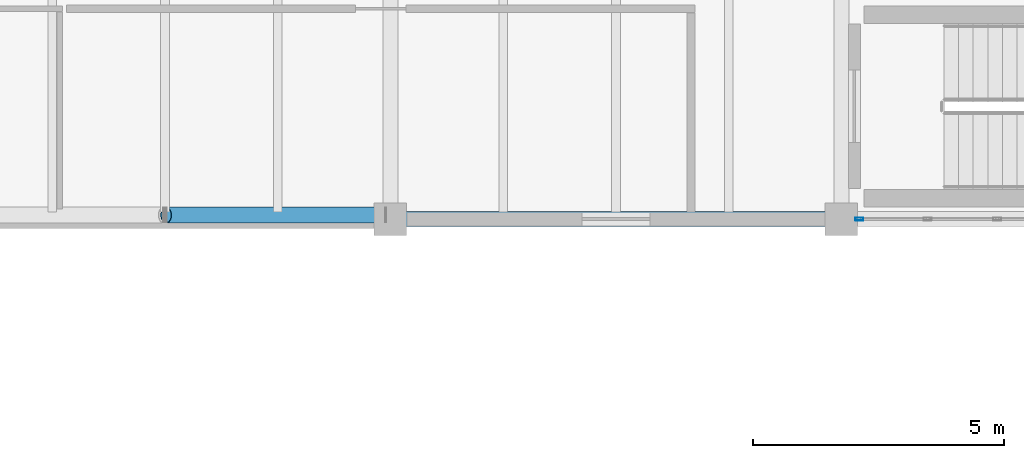
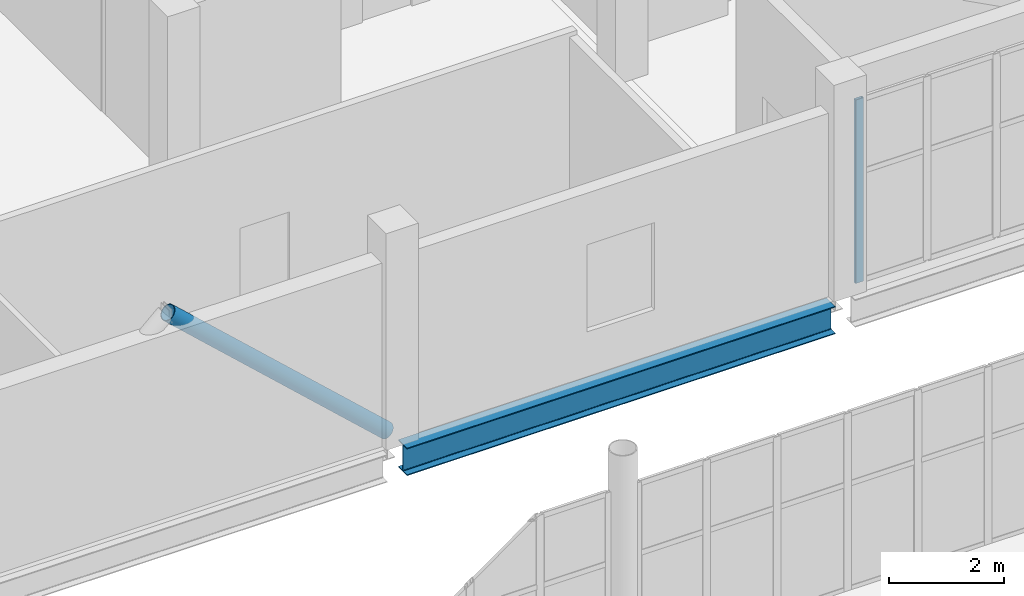
# One storey, part 118 of 172: 2 members, 1 beam, 1 element without a shape of its own.
"""IFC4 building model written with IfcOpenShell, lengths in metres."""

from ifc_helpers import new_model, si_unit, direction, frame, origin, origin_2d, place, context, subcontext, project, spatial, hollow_rectangle, hollow_circle, i_section, extrude, material, material_profile, profile_set, type_object, element, aggregate, save


model = new_model("IFC4")

# Units and contexts
model_context = context("Model", 3, precision=1e-05, world=origin(), true_north=direction((0.0, 1.0)))
body_context = subcontext(model_context, "Body", "Model", "MODEL_VIEW")
ifc_project = project(units=[si_unit("LENGTHUNIT", "METRE"), si_unit("AREAUNIT", "SQUARE_METRE"), si_unit("VOLUMEUNIT", "CUBIC_METRE"), si_unit("PLANEANGLEUNIT", "RADIAN"), si_unit("MASSUNIT", "GRAM", prefix="KILO")], contexts=[model_context])

# Site, building, storey
site_placement = place(None, origin())
site = spatial("IfcSite", under=ifc_project, at=site_placement, CompositionType="ELEMENT")
building_placement = place(site_placement, origin())
building = spatial("IfcBuilding", under=site, at=building_placement, Name="Shengluoqiao Park Theatre", CompositionType="ELEMENT")
storey_placement = place(building_placement, frame((0.0, 0.0, 5.39990234375)))
storey = spatial("IfcBuildingStorey", under=building, at=storey_placement, Name="L01", CompositionType="ELEMENT", Elevation=5.39990234375)

# Curtain wall, member
ifc_material_1 = material(Name="Aluminium 6063-T6", Category="aluminium")
curtain_wall_type = type_object("IfcCurtainWallType", Name="ENV-CW-CLERE", PredefinedType="NOTDEFINED", material=ifc_material_1)
curtain_wall_placement = place(storey_placement, origin())
curtain_wall = element("IfcCurtainWall", 1, at=curtain_wall_placement, inside=storey, type_object=curtain_wall_type, Name="L01 Curtain Wall CWX-L01-0178", PredefinedType="NOTDEFINED")
ifc_material_profile_1 = material_profile(ifc_material_1, hollow_rectangle(XDim=0.06005859375, YDim=0.159912109375, WallThickness=0.00390625, InnerFilletRadius=0.00390625, OuterFilletRadius=0.008056640625, at=origin_2d()), Name="ALU MULLION 160x60x4")
ifc_profile_set_1 = profile_set([ifc_material_profile_1], Name="Aluminium 6063-T6")
member_type_1 = type_object("IfcMemberType", Name="ENV-MUL-160", PredefinedType="MULLION", material=ifc_profile_set_1)
member_1_placement = place(storey_placement, frame((139.759033203125, 84.0, 0.0), z_axis=(0.0, 0.0, 1.0), x_axis=(0.0, 1.0, 0.0)))
member_1 = element("IfcMember", 2, at=member_1_placement, type_object=member_type_1, Name="CW-06 mullion 1", PredefinedType="MULLION", context=body_context, shape_type="SweptSolid", body=[
    extrude(hollow_rectangle(XDim=0.06005859375, YDim=0.159912109375, WallThickness=0.00390625, InnerFilletRadius=0.00390625, OuterFilletRadius=0.008056640625, at=origin_2d()), origin(), (0.0, 0.0, 1.0), 3.898193359375),
])
aggregate(curtain_wall, [member_1])

# Beam
ifc_material_2 = material(Name="Steel Q355", Category="steel")
ifc_material_profile_2 = material_profile(ifc_material_2, i_section(OverallWidth=0.300048828125, OverallDepth=0.587890625, WebThickness=0.011962890625, FlangeThickness=0.02001953125, FilletRadius=0.02392578125, at=origin_2d()), Name="HM 588x300x12x20")
ifc_profile_set_2 = profile_set([ifc_material_profile_2], Name="Steel Q355")
beam_type = type_object("IfcBeamType", Name="STR-BM-G-HM588", PredefinedType="BEAM", material=ifc_profile_set_2)
beam_placement = place(storey_placement, frame((130.597900390625, 84.0, -0.533935546875), z_axis=(1.0, 0.0, 0.0), x_axis=(0.0, 1.0, 0.0)))
element("IfcBeam", 3, at=beam_placement, inside=storey, type_object=beam_type, Name="L01 Primary Girder 00639", PredefinedType="BEAM", context=body_context, shape_type="SweptSolid", body=[
    extrude(i_section(OverallWidth=0.300048828125, OverallDepth=0.587890625, WebThickness=0.011962890625, FlangeThickness=0.02001953125, FilletRadius=0.02392578125, at=origin_2d()), origin(), (0.0, 0.0, 1.0), 8.60400390625),
])

# Member
ifc_material_profile_3 = material_profile(ifc_material_2, hollow_circle(Radius=0.16259765625, WallThickness=0.013916015625, at=origin_2d()), Name="CHS 325x14")
ifc_profile_set_3 = profile_set([ifc_material_profile_3], Name="Steel Q355")
member_type_2 = type_object("IfcMemberType", Name="STR-MEM-BRC-325", PredefinedType="BRACE", material=ifc_profile_set_3)
member_2_placement = place(storey_placement, frame((130.31005859375, 84.080078125, 0.1025390625), z_axis=(-0.735835523568, 0.0, 0.677160307649), x_axis=(0.0, -1.0, 0.0)))
element("IfcMember", 4, at=member_2_placement, inside=storey, type_object=member_type_2, Name="L01 Chevron Brace 0028", PredefinedType="BRACE", context=body_context, shape_type="SweptSolid", body=[
    extrude(hollow_circle(Radius=0.16259765625, WallThickness=0.013916015625, at=origin_2d()), origin(), (0.0, 0.0, 1.0), 5.962646484375),
])

save(model, "model.ifc")
